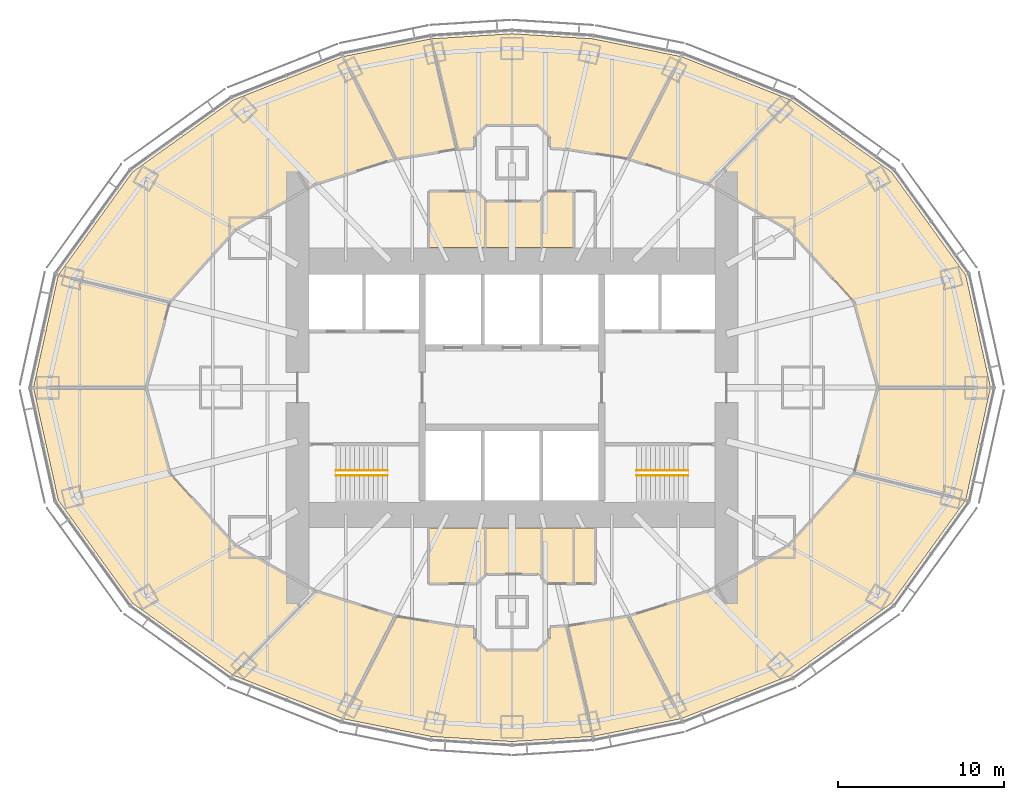
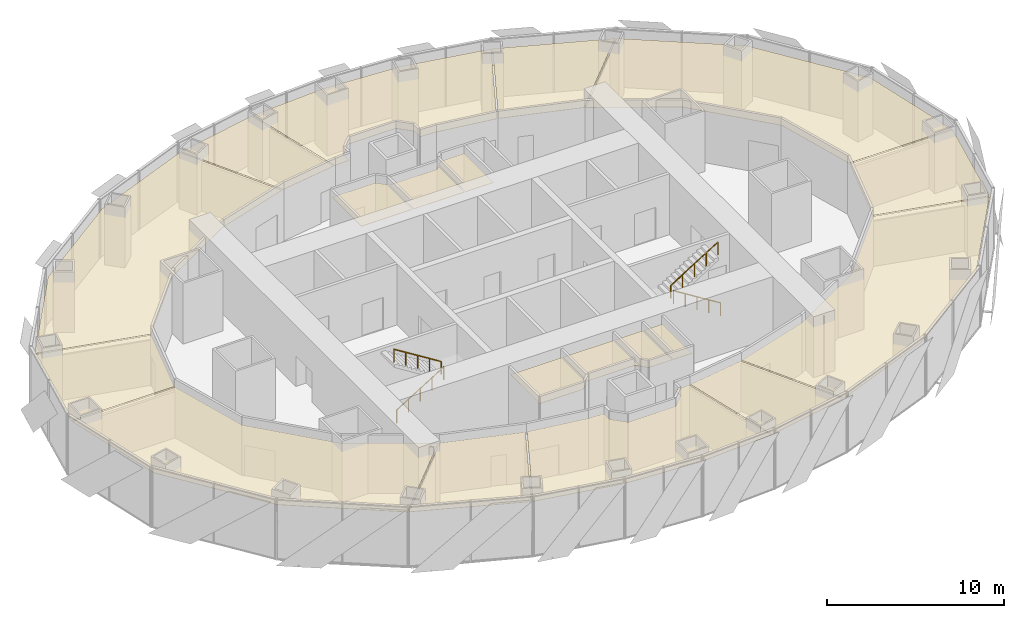
# One storey, part 18 of 18: 19 coverings, 4 railings.
"""IFC4 building model written with IfcOpenShell, lengths in metres."""

import ifcopenshell
import ifcopenshell.guid

model = None  # the IFC model being written
_history = None  # IfcOwnerHistory: only IFC2X3 demands one
_inside = {}  # id of a spatial element -> (the spatial element, [elements in it])
_under = {}  # id of a project, library or spatial element -> (it, [spatial elements below it])
_declared = {}  # id of a project -> (the project, [libraries it declares])
_typed = {}  # id of a type object -> (the type object, [elements of that type])
_made_of = {}  # id of a material, layer set ... -> (it, [elements and type objects made of it])


def new_model(schema):
    """Start an empty IFC model of exactly this schema.

    Asked for "IFC4X3", IfcOpenShell would pick the latest addendum, in which some entities
    have other attributes; the version numbers below select the first issue.
    IFC2X3 requires an IfcOwnerHistory on every rooted entity: one is made here for all.
    """
    global model, _history
    if schema == "IFC4X3":
        model = ifcopenshell.file(schema_version=(4, 3, 0, 0))
    else:
        model = ifcopenshell.file(schema=schema)
    _inside.clear()
    _under.clear()
    _declared.clear()
    _typed.clear()
    _made_of.clear()
    _history = None
    if model.schema == "IFC2X3":
        org = make("IfcOrganization", Name="unknown")
        user = make(
            "IfcPersonAndOrganization",
            ThePerson=make("IfcPerson", FamilyName="unknown"),
            TheOrganization=org,
        )
        app = make(
            "IfcApplication",
            ApplicationDeveloper=org,
            Version="unknown",
            ApplicationFullName="unknown",
            ApplicationIdentifier="unknown",
        )
        _history = make(
            "IfcOwnerHistory",
            OwningUser=user,
            OwningApplication=app,
            ChangeAction="ADDED",
            CreationDate=0,
        )
    return model


def make(cls, **values):
    """One entity of the class cls with the attributes given. An attribute that is None is left unset."""
    return model.create_entity(
        cls, **{name: value for name, value in values.items() if value is not None}
    )


def rooted(cls, **values):
    """An entity with a GlobalId (a new one), such as an element, a storey or a relation."""
    return make(cls, GlobalId=ifcopenshell.guid.new(), OwnerHistory=_history, **values)


def si_unit(unit_type, name, prefix=None):
    """IfcSIUnit, for example si_unit("LENGTHUNIT", "METRE", prefix="MILLI")."""
    return make("IfcSIUnit", UnitType=unit_type, Prefix=prefix, Name=name)


def assignment(units):
    """IfcUnitAssignment: the units of a project."""
    return None if units is None else make("IfcUnitAssignment", Units=units)


def point(xyz):
    """IfcCartesianPoint."""
    return None if xyz is None else make("IfcCartesianPoint", Coordinates=xyz)


def direction(xyz):
    """IfcDirection."""
    return None if xyz is None else make("IfcDirection", DirectionRatios=xyz)


def frame(location, z_axis=None, x_axis=None):
    """IfcAxis2Placement3D, a coordinate frame: its origin and axes. An axis left out is left unset."""
    return make(
        "IfcAxis2Placement3D",
        Location=point(location),
        Axis=direction(z_axis),
        RefDirection=direction(x_axis),
    )


def frame_2d(location, x_axis=None):
    """IfcAxis2Placement2D, a coordinate frame in the plane: its origin and x axis."""
    return make(
        "IfcAxis2Placement2D", Location=point(location), RefDirection=direction(x_axis)
    )


def origin():
    """The frame at (0, 0, 0) with its axes left unset."""
    return frame((0.0, 0.0, 0.0))


def origin_2d():
    """The frame at (0, 0) in the plane with its x axis left unset."""
    return frame_2d((0.0, 0.0))


def place(relative_to, where):
    """IfcLocalPlacement: puts the frame where relative to a parent placement (None: the world)."""
    return make(
        "IfcLocalPlacement", PlacementRelTo=relative_to, RelativePlacement=where
    )


def context(
    kind, dimensions, precision=None, world=None, true_north=None, identifier=None
):
    """IfcGeometricRepresentationContext, for example the 3D "Model" context."""
    return make(
        "IfcGeometricRepresentationContext",
        ContextIdentifier=identifier,
        ContextType=kind,
        CoordinateSpaceDimension=dimensions,
        Precision=precision,
        WorldCoordinateSystem=world,
        TrueNorth=true_north,
    )


def subcontext(parent, identifier, kind, view, scale=None):
    """IfcGeometricRepresentationSubContext, for example "Body" below "Model"."""
    return make(
        "IfcGeometricRepresentationSubContext",
        ContextIdentifier=identifier,
        ContextType=kind,
        ParentContext=parent,
        TargetScale=scale,
        TargetView=view,
    )


def project(units=None, contexts=None):
    """IfcProject with its units and contexts."""
    return rooted(
        "IfcProject",
        Name="project",
        RepresentationContexts=contexts,
        UnitsInContext=assignment(units),
    )


def spatial(cls, under=None, at=None, **own):
    """A site, building, storey or space (cls), placed at a placement, below another one or the project."""
    s = rooted(cls, ObjectPlacement=at, **own)
    if under is not None:
        _under.setdefault(under.id(), (under, []))[1].append(s)
    return s


def polyline(points):
    """IfcPolyline through the points."""
    return make("IfcPolyline", Points=[point(p) for p in points])


def profile(cls, at=None, kind="AREA", **sizes):
    """A parametric profile (cls). Its sizes go by their IFC names, for example OverallWidth=200.0."""
    return make(cls, ProfileType=kind, Position=at, **sizes)


def circle(**sizes):
    """IfcCircleProfileDef."""
    return profile("IfcCircleProfileDef", **sizes)


def outline(outer, holes=None, kind="AREA"):
    """IfcArbitraryClosedProfileDef: a profile drawn as a closed curve; with holes, ...WithVoids."""
    if holes is None:
        return make("IfcArbitraryClosedProfileDef", ProfileType=kind, OuterCurve=outer)
    return make(
        "IfcArbitraryProfileDefWithVoids",
        ProfileType=kind,
        OuterCurve=outer,
        InnerCurves=holes,
    )


def extrude(swept, where, along, depth):
    """IfcExtrudedAreaSolid: the profile swept, set in the frame where, extruded along a direction by depth."""
    return make(
        "IfcExtrudedAreaSolid",
        SweptArea=swept,
        Position=where,
        ExtrudedDirection=direction(along),
        Depth=depth,
    )


def shape(context_of_items, identifier, shape_type, items):
    """IfcShapeRepresentation: the items that make up one representation, for example the "Body"."""
    return make(
        "IfcShapeRepresentation",
        ContextOfItems=context_of_items,
        RepresentationIdentifier=identifier,
        RepresentationType=shape_type,
        Items=items,
    )


def material(Name=None, Category=None):
    """IfcMaterial."""
    return make("IfcMaterial", Name=Name, Category=Category)


def layer(
    of_material, thickness, ventilated=None, Name=None, Category=None, Priority=None
):
    """IfcMaterialLayer: one layer of a wall or slab, of a material (None: an air gap)."""
    return make(
        "IfcMaterialLayer",
        Material=of_material,
        LayerThickness=thickness,
        IsVentilated=ventilated,
        Name=Name,
        Category=Category,
        Priority=Priority,
    )


def layer_set(layers, Name=None):
    """IfcMaterialLayerSet."""
    return make("IfcMaterialLayerSet", MaterialLayers=layers, LayerSetName=Name)


def made_of(thing, what):
    """Note that an element or type object is made of a material, layer set ...; save() writes the relation."""
    if what is not None:
        _made_of.setdefault(what.id(), (what, []))[1].append(thing)
    return thing


def type_object(cls, material=None, **own):
    """A type object (cls), such as IfcWallType, which elements share."""
    return made_of(rooted(cls, **own), material)


def element(
    cls,
    number,
    at=None,
    inside=None,
    cuts=None,
    type_object=None,
    material=None,
    context=None,
    identifier="Body",
    shape_type=None,
    held_by="IfcProductDefinitionShape",
    body=None,
    shapes=None,
    **own,
):
    """One element of the class cls, such as IfcWall. Its Tag is "e" and its number.

    at: its placement. inside: the storey or other place that contains it. cuts: it is an
    opening in that element (IfcRelVoidsElement). A single representation is given by context,
    identifier, shape_type and body (its items); several are given by shapes. held_by: the class
    of the entity that holds the representations. save() writes the other relations.
    """
    e = rooted(cls, Tag="e%d" % number, ObjectPlacement=at, **own)
    if body is not None:
        shapes = [shape(context, identifier, shape_type, body)]
    if shapes is not None:
        e.Representation = make(held_by, Representations=shapes)
    if inside is not None:
        _inside.setdefault(inside.id(), (inside, []))[1].append(e)
    if cuts is not None:
        rooted(
            "IfcRelVoidsElement", RelatingBuildingElement=cuts, RelatedOpeningElement=e
        )
    if type_object is not None:
        _typed.setdefault(type_object.id(), (type_object, []))[1].append(e)
    return made_of(e, material)


def aggregate(whole, parts):
    """IfcRelAggregates: a whole, such as a stair, and the parts it consists of."""
    return rooted("IfcRelAggregates", RelatingObject=whole, RelatedObjects=parts)


def save(model, path):
    """Write the relations noted so far, then the file.

    IfcRelAggregates (storeys below a building ...), IfcRelContainedInSpatialStructure (elements
    in a storey), IfcRelDefinesByType, IfcRelAssociatesMaterial and IfcRelDeclares: one each for
    every whole, place, type object, material and project.
    """
    for whole, parts in _under.values():
        aggregate(whole, parts)
    for where, things in _inside.values():
        rooted(
            "IfcRelContainedInSpatialStructure",
            RelatedElements=things,
            RelatingStructure=where,
        )
    for kind, things in _typed.values():
        rooted("IfcRelDefinesByType", RelatedObjects=things, RelatingType=kind)
    for what, things in _made_of.values():
        rooted("IfcRelAssociatesMaterial", RelatedObjects=things, RelatingMaterial=what)
    for by, libraries in _declared.values():
        rooted("IfcRelDeclares", RelatingContext=by, RelatedDefinitions=libraries)
    model.write(path)


model = new_model("IFC4")

# Units and contexts
model_context = context("Model", 3, precision=1e-05, world=origin(), true_north=direction((0.0, 1.0)))
body_context = subcontext(model_context, "Body", "Model", "MODEL_VIEW")
ifc_project = project(units=[si_unit("LENGTHUNIT", "METRE"), si_unit("AREAUNIT", "SQUARE_METRE"), si_unit("VOLUMEUNIT", "CUBIC_METRE"), si_unit("PLANEANGLEUNIT", "RADIAN"), si_unit("MASSUNIT", "GRAM", prefix="KILO")], contexts=[model_context])

# Site, building, storey
site_placement = place(None, origin())
site = spatial("IfcSite", under=ifc_project, at=site_placement, CompositionType="ELEMENT")
building_placement = place(site_placement, origin())
building = spatial("IfcBuilding", under=site, at=building_placement, Name="Lantaw Convention Tower", CompositionType="ELEMENT")
storey_placement = place(building_placement, frame((0.0, 0.0, 167.800048828125)))
storey = spatial("IfcBuildingStorey", under=building, at=storey_placement, Name="L39", CompositionType="ELEMENT", Elevation=167.800048828125)

# Railings
ifc_material_1 = material(Name="Stainless steel", Category="steel")
railing_type = type_object("IfcRailingType", Name="Stair handrail", PredefinedType="HANDRAIL", material=ifc_material_1)
railing_1_placement = place(storey_placement, frame((-10.580078125, -5.280029296875, 0.175048828125)))
element("IfcRailing", 1, at=railing_1_placement, inside=storey, type_object=railing_type, Name="Stair handrail S1", PredefinedType="HANDRAIL", context=body_context, shape_type="SweptSolid", body=[
    extrude(circle(Radius=0.02392578125, at=origin_2d()), frame((0.0, 0.0, 0.8759765625), z_axis=(0.848028513186, 0.0, 0.529950602248), x_axis=(0.0, 1.0, 0.0)), (0.0, 0.0, 1.0), 3.632080078125),
    extrude(circle(Radius=0.02099609375, at=origin_2d()), origin(), (0.0, 0.0, 1.0), 0.851806640625),
    extrude(circle(Radius=0.02099609375, at=origin_2d()), frame((0.77001953125, 0.0, 0.481201171875)), (0.0, 0.0, 1.0), 0.851806640625),
    extrude(circle(Radius=0.02099609375, at=origin_2d()), frame((1.5400390625, 0.0, 0.96240234375)), (0.0, 0.0, 1.0), 0.851806640625),
    extrude(circle(Radius=0.02099609375, at=origin_2d()), frame((2.31005859375, 0.0, 1.443603515625)), (0.0, 0.0, 1.0), 0.851806640625),
    extrude(circle(Radius=0.02099609375, at=origin_2d()), frame((3.080078125, 0.0, 1.9248046875)), (0.0, 0.0, 1.0), 0.851806640625),
])
railing_2_placement = place(storey_placement, frame((-7.5, -4.97998046875, 2.27490234375)))
element("IfcRailing", 2, at=railing_2_placement, inside=storey, type_object=railing_type, Name="Stair handrail S1", PredefinedType="HANDRAIL", context=body_context, shape_type="SweptSolid", body=[
    extrude(circle(Radius=0.02392578125, at=origin_2d()), frame((0.0, 0.0, 0.8759765625), z_axis=(-0.847998304005, 0.0, 0.529998940003), x_axis=(0.0, -1.0, 0.0)), (0.0, 0.0, 1.0), 3.632080078125),
    extrude(circle(Radius=0.02099609375, at=origin_2d()), origin(), (0.0, 0.0, 1.0), 0.851806640625),
    extrude(circle(Radius=0.02099609375, at=origin_2d()), frame((-0.77001953125, 0.0, 0.481201171875)), (0.0, 0.0, 1.0), 0.851806640625),
    extrude(circle(Radius=0.02099609375, at=origin_2d()), frame((-1.5400390625, 0.0, 0.96240234375)), (0.0, 0.0, 1.0), 0.851806640625),
    extrude(circle(Radius=0.02099609375, at=origin_2d()), frame((-2.31005859375, 0.0, 1.44384765625)), (0.0, 0.0, 1.0), 0.851806640625),
    extrude(circle(Radius=0.02099609375, at=origin_2d()), frame((-3.080078125, 0.0, 1.925048828125)), (0.0, 0.0, 1.0), 0.851806640625),
])
railing_3_placement = place(storey_placement, frame((10.580078125, -5.280029296875, 0.175048828125)))
element("IfcRailing", 3, at=railing_3_placement, inside=storey, type_object=railing_type, Name="Stair handrail S2", PredefinedType="HANDRAIL", context=body_context, shape_type="SweptSolid", body=[
    extrude(circle(Radius=0.02392578125, at=origin_2d()), frame((0.0, 0.0, 0.8759765625), z_axis=(-0.848028513186, 0.0, 0.529950602248), x_axis=(0.0, -1.0, 0.0)), (0.0, 0.0, 1.0), 3.632080078125),
    extrude(circle(Radius=0.02099609375, at=origin_2d()), origin(), (0.0, 0.0, 1.0), 0.851806640625),
    extrude(circle(Radius=0.02099609375, at=origin_2d()), frame((-0.77001953125, 0.0, 0.481201171875)), (0.0, 0.0, 1.0), 0.851806640625),
    extrude(circle(Radius=0.02099609375, at=origin_2d()), frame((-1.5400390625, 0.0, 0.96240234375)), (0.0, 0.0, 1.0), 0.851806640625),
    extrude(circle(Radius=0.02099609375, at=origin_2d()), frame((-2.31005859375, 0.0, 1.443603515625)), (0.0, 0.0, 1.0), 0.851806640625),
    extrude(circle(Radius=0.02099609375, at=origin_2d()), frame((-3.080078125, 0.0, 1.9248046875)), (0.0, 0.0, 1.0), 0.851806640625),
])
railing_4_placement = place(storey_placement, frame((7.5, -4.97998046875, 2.27490234375)))
element("IfcRailing", 4, at=railing_4_placement, inside=storey, type_object=railing_type, Name="Stair handrail S2", PredefinedType="HANDRAIL", context=body_context, shape_type="SweptSolid", body=[
    extrude(circle(Radius=0.02392578125, at=origin_2d()), frame((0.0, 0.0, 0.8759765625), z_axis=(0.847998304005, 0.0, 0.529998940003), x_axis=(0.0, 1.0, 0.0)), (0.0, 0.0, 1.0), 3.632080078125),
    extrude(circle(Radius=0.02099609375, at=origin_2d()), origin(), (0.0, 0.0, 1.0), 0.851806640625),
    extrude(circle(Radius=0.02099609375, at=origin_2d()), frame((0.77001953125, 0.0, 0.481201171875)), (0.0, 0.0, 1.0), 0.851806640625),
    extrude(circle(Radius=0.02099609375, at=origin_2d()), frame((1.5400390625, 0.0, 0.96240234375)), (0.0, 0.0, 1.0), 0.851806640625),
    extrude(circle(Radius=0.02099609375, at=origin_2d()), frame((2.31005859375, 0.0, 1.44384765625)), (0.0, 0.0, 1.0), 0.851806640625),
    extrude(circle(Radius=0.02099609375, at=origin_2d()), frame((3.080078125, 0.0, 1.925048828125)), (0.0, 0.0, 1.0), 0.851806640625),
])

# Coverings
ifc_material_2 = material(Name="Gypsum board on steel suspension grid", Category="steel")
ifc_layer = layer(ifc_material_2, 0.02001953125)
ifc_layer_set = layer_set([ifc_layer], Name="Suspended ceiling")
covering_type = type_object("IfcCoveringType", Name="Suspended ceiling", PredefinedType="CEILING", material=ifc_layer_set)
covering_1_placement = place(storey_placement, frame((0.0, 0.0, 3.449951171875)))
element("IfcCovering", 5, at=covering_1_placement, inside=storey, type_object=covering_type, Name="Male WC ceiling", PredefinedType="CEILING", context=body_context, shape_type="SweptSolid", body=[
    extrude(outline(polyline([(-4.9599609375, 11.760009765625), (-4.9599609375, 8.43994140625), (-1.639892578125, 8.43994140625), (-1.639892578125, 11.26611328125), (-2.1337890625, 11.760009765625), (-4.9599609375, 11.760009765625)])), origin(), (0.0, 0.0, 1.0), 0.02001953125),
])
covering_2_placement = place(storey_placement, frame((0.0, 0.0, 3.449951171875)))
element("IfcCovering", 6, at=covering_2_placement, inside=storey, type_object=covering_type, Name="Female WC ceiling", PredefinedType="CEILING", context=body_context, shape_type="SweptSolid", body=[
    extrude(outline(polyline([(-1.56005859375, 11.186279296875), (-1.56005859375, 8.43994140625), (1.760009765625, 8.43994140625), (1.760009765625, 11.38623046875), (1.548828125, 11.175048828125), (-1.548828125, 11.175048828125), (-1.56005859375, 11.186279296875)])), origin(), (0.0, 0.0, 1.0), 0.02001953125),
])
covering_3_placement = place(storey_placement, frame((0.0, 0.0, 3.449951171875)))
element("IfcCovering", 7, at=covering_3_placement, inside=storey, type_object=covering_type, Name="Accessible WC ceiling", PredefinedType="CEILING", context=body_context, shape_type="SweptSolid", body=[
    extrude(outline(polyline([(1.840087890625, 11.466064453125), (1.840087890625, 8.43994140625), (3.659912109375, 8.43994140625), (3.659912109375, 11.760009765625), (2.1337890625, 11.760009765625), (1.840087890625, 11.466064453125)])), origin(), (0.0, 0.0, 1.0), 0.02001953125),
])
covering_4_placement = place(storey_placement, frame((0.0, 0.0, 3.449951171875)))
element("IfcCovering", 8, at=covering_4_placement, inside=storey, type_object=covering_type, Name="Male WC ceiling", PredefinedType="CEILING", context=body_context, shape_type="SweptSolid", body=[
    extrude(outline(polyline([(-4.9599609375, -8.43994140625), (-4.9599609375, -11.760009765625), (-2.1337890625, -11.760009765625), (-1.639892578125, -11.26611328125), (-1.639892578125, -8.43994140625), (-4.9599609375, -8.43994140625)])), origin(), (0.0, 0.0, 1.0), 0.02001953125),
])
covering_5_placement = place(storey_placement, frame((0.0, 0.0, 3.449951171875)))
element("IfcCovering", 9, at=covering_5_placement, inside=storey, type_object=covering_type, Name="Female WC ceiling", PredefinedType="CEILING", context=body_context, shape_type="SweptSolid", body=[
    extrude(outline(polyline([(-1.56005859375, -11.186279296875), (-1.548828125, -11.175048828125), (1.548828125, -11.175048828125), (1.760009765625, -11.38623046875), (1.760009765625, -8.43994140625), (-1.56005859375, -8.43994140625), (-1.56005859375, -11.186279296875)])), origin(), (0.0, 0.0, 1.0), 0.02001953125),
])
covering_6_placement = place(storey_placement, frame((0.0, 0.0, 3.449951171875)))
element("IfcCovering", 10, at=covering_6_placement, inside=storey, type_object=covering_type, Name="Accessible WC ceiling", PredefinedType="CEILING", context=body_context, shape_type="SweptSolid", body=[
    extrude(outline(polyline([(1.840087890625, -8.43994140625), (1.840087890625, -11.466064453125), (2.1337890625, -11.760009765625), (3.659912109375, -11.760009765625), (3.659912109375, -8.43994140625), (1.840087890625, -8.43994140625)])), origin(), (0.0, 0.0, 1.0), 0.02001953125),
])
covering_7_placement = place(storey_placement, frame((0.0, 0.0, 3.449951171875)))
element("IfcCovering", 11, at=covering_7_placement, inside=storey, type_object=covering_type, Name="Pantry ceiling", PredefinedType="CEILING", context=body_context, shape_type="SweptSolid", body=[
    extrude(outline(polyline([(3.739990234375, -11.760009765625), (4.9599609375, -11.760009765625), (4.9599609375, -8.43994140625), (3.739990234375, -8.43994140625), (3.739990234375, -11.760009765625)])), origin(), (0.0, 0.0, 1.0), 0.02001953125),
])
covering_8_placement = place(storey_placement, frame((0.0, 0.0, 3.449951171875)))
element("IfcCovering", 12, at=covering_8_placement, inside=storey, type_object=covering_type, Name="Tenant suite ceiling", PredefinedType="CEILING", context=body_context, shape_type="SweptSolid", body=[
    extrude(outline(polyline([(22.030517578125, 0.0400390625), (28.77099609375, 0.0400390625), (27.286865234375, 6.763671875), (22.815185546875, 12.970947265625), (16.802001953125, 17.2744140625), (11.877685546875, 12.24169921875), (16.647705078125, 9.5302734375), (20.61279296875, 5.150146484375), (22.030517578125, 0.0400390625)])), origin(), (0.0, 0.0, 1.0), 0.02001953125),
])
covering_9_placement = place(storey_placement, frame((0.0, 0.0, 3.449951171875)))
element("IfcCovering", 13, at=covering_9_placement, inside=storey, type_object=covering_type, Name="Meeting room ceiling", PredefinedType="CEILING", context=body_context, shape_type="SweptSolid", body=[
    extrude(outline(polyline([(11.80126953125, 12.278076171875), (16.7265625, 17.311767578125), (10.217041015625, 19.893798828125), (7.06103515625, 13.76953125), (11.80126953125, 12.278076171875)])), origin(), (0.0, 0.0, 1.0), 0.02001953125),
])
covering_10_placement = place(storey_placement, frame((0.0, 0.0, 3.449951171875)))
element("IfcCovering", 14, at=covering_10_placement, inside=storey, type_object=covering_type, Name="Tenant suite ceiling", PredefinedType="CEILING", context=body_context, shape_type="SweptSolid", body=[
    extrude(outline(polyline([(3.313720703125, 14.374755859375), (6.9814453125, 13.78955078125), (10.13818359375, 19.91552734375), (4.864501953125, 20.978271484375), (0.0, 21.28466796875), (-4.81982421875, 20.98095703125), (-3.278076171875, 14.376708984375), (-2.324951171875, 14.424072265625), (-2.324951171875, 15.048828125), (-1.548828125, 15.824951171875), (1.548828125, 15.824951171875), (2.324951171875, 15.048828125), (2.324951171875, 14.424072265625), (3.313720703125, 14.374755859375)])), origin(), (0.0, 0.0, 1.0), 0.02001953125),
])
covering_11_placement = place(storey_placement, frame((0.0, 0.0, 3.449951171875)))
element("IfcCovering", 15, at=covering_11_placement, inside=storey, type_object=covering_type, Name="Meeting room ceiling", PredefinedType="CEILING", context=body_context, shape_type="SweptSolid", body=[
    extrude(outline(polyline([(-3.358154296875, 14.36767578125), (-4.899658203125, 20.970947265625), (-10.13818359375, 19.91552734375), (-6.9814453125, 13.78955078125), (-3.358154296875, 14.36767578125)])), origin(), (0.0, 0.0, 1.0), 0.02001953125),
])
covering_12_placement = place(storey_placement, frame((0.0, 0.0, 3.449951171875)))
element("IfcCovering", 16, at=covering_12_placement, inside=storey, type_object=covering_type, Name="Tenant suite ceiling", PredefinedType="CEILING", context=body_context, shape_type="SweptSolid", body=[
    extrude(outline(polyline([(-7.06103515625, 13.76953125), (-10.217041015625, 19.893798828125), (-16.778076171875, 17.29150390625), (-22.815185546875, 12.970947265625), (-27.257080078125, 6.80517578125), (-20.590576171875, 5.1748046875), (-16.647705078125, 9.5302734375), (-11.828857421875, 12.269287109375), (-7.06103515625, 13.76953125)])), origin(), (0.0, 0.0, 1.0), 0.02001953125),
])
covering_13_placement = place(storey_placement, frame((0.0, 0.0, 3.449951171875)))
element("IfcCovering", 17, at=covering_13_placement, inside=storey, type_object=covering_type, Name="Meeting room ceiling", PredefinedType="CEILING", context=body_context, shape_type="SweptSolid", body=[
    extrude(outline(polyline([(-20.62646484375, 5.101318359375), (-27.2939453125, 6.731689453125), (-28.77099609375, 0.0400390625), (-22.030517578125, 0.0400390625), (-20.62646484375, 5.101318359375)])), origin(), (0.0, 0.0, 1.0), 0.02001953125),
])
covering_14_placement = place(storey_placement, frame((0.0, 0.0, 3.449951171875)))
element("IfcCovering", 18, at=covering_14_placement, inside=storey, type_object=covering_type, Name="Tenant suite ceiling", PredefinedType="CEILING", context=body_context, shape_type="SweptSolid", body=[
    extrude(outline(polyline([(-22.030517578125, -0.0400390625), (-28.77099609375, -0.0400390625), (-27.286865234375, -6.763671875), (-22.815185546875, -12.970947265625), (-16.802001953125, -17.2744140625), (-11.877685546875, -12.24169921875), (-16.647705078125, -9.5302734375), (-20.61279296875, -5.150146484375), (-22.030517578125, -0.0400390625)])), origin(), (0.0, 0.0, 1.0), 0.02001953125),
])
covering_15_placement = place(storey_placement, frame((0.0, 0.0, 3.449951171875)))
element("IfcCovering", 19, at=covering_15_placement, inside=storey, type_object=covering_type, Name="Meeting room ceiling", PredefinedType="CEILING", context=body_context, shape_type="SweptSolid", body=[
    extrude(outline(polyline([(-11.80126953125, -12.278076171875), (-16.7265625, -17.311767578125), (-10.217041015625, -19.893798828125), (-7.06103515625, -13.76953125), (-11.80126953125, -12.278076171875)])), origin(), (0.0, 0.0, 1.0), 0.02001953125),
])
covering_16_placement = place(storey_placement, frame((0.0, 0.0, 3.449951171875)))
element("IfcCovering", 20, at=covering_16_placement, inside=storey, type_object=covering_type, Name="Tenant suite ceiling", PredefinedType="CEILING", context=body_context, shape_type="SweptSolid", body=[
    extrude(outline(polyline([(-3.313720703125, -14.374755859375), (-6.9814453125, -13.78955078125), (-10.13818359375, -19.91552734375), (-4.864501953125, -20.978271484375), (0.0, -21.28466796875), (4.81982421875, -20.98095703125), (3.278076171875, -14.376708984375), (2.324951171875, -14.424072265625), (2.324951171875, -15.048828125), (1.548828125, -15.824951171875), (-1.548828125, -15.824951171875), (-2.324951171875, -15.048828125), (-2.324951171875, -14.424072265625), (-3.313720703125, -14.374755859375)])), origin(), (0.0, 0.0, 1.0), 0.02001953125),
])
covering_17_placement = place(storey_placement, frame((0.0, 0.0, 3.449951171875)))
element("IfcCovering", 21, at=covering_17_placement, inside=storey, type_object=covering_type, Name="Meeting room ceiling", PredefinedType="CEILING", context=body_context, shape_type="SweptSolid", body=[
    extrude(outline(polyline([(3.358154296875, -14.36767578125), (4.899658203125, -20.970947265625), (10.13818359375, -19.91552734375), (6.9814453125, -13.78955078125), (3.358154296875, -14.36767578125)])), origin(), (0.0, 0.0, 1.0), 0.02001953125),
])
covering_18_placement = place(storey_placement, frame((0.0, 0.0, 3.449951171875)))
element("IfcCovering", 22, at=covering_18_placement, inside=storey, type_object=covering_type, Name="Tenant suite ceiling", PredefinedType="CEILING", context=body_context, shape_type="SweptSolid", body=[
    extrude(outline(polyline([(7.06103515625, -13.76953125), (10.217041015625, -19.893798828125), (16.778076171875, -17.29150390625), (22.815185546875, -12.970947265625), (27.257080078125, -6.80517578125), (20.590576171875, -5.1748046875), (16.647705078125, -9.5302734375), (11.828857421875, -12.269287109375), (7.06103515625, -13.76953125)])), origin(), (0.0, 0.0, 1.0), 0.02001953125),
])
covering_19_placement = place(storey_placement, frame((0.0, 0.0, 3.449951171875)))
element("IfcCovering", 23, at=covering_19_placement, inside=storey, type_object=covering_type, Name="Meeting room ceiling", PredefinedType="CEILING", context=body_context, shape_type="SweptSolid", body=[
    extrude(outline(polyline([(20.62646484375, -5.101318359375), (27.2939453125, -6.731689453125), (28.77099609375, -0.0400390625), (22.030517578125, -0.0400390625), (20.62646484375, -5.101318359375)])), origin(), (0.0, 0.0, 1.0), 0.02001953125),
])

save(model, "model.ifc")
